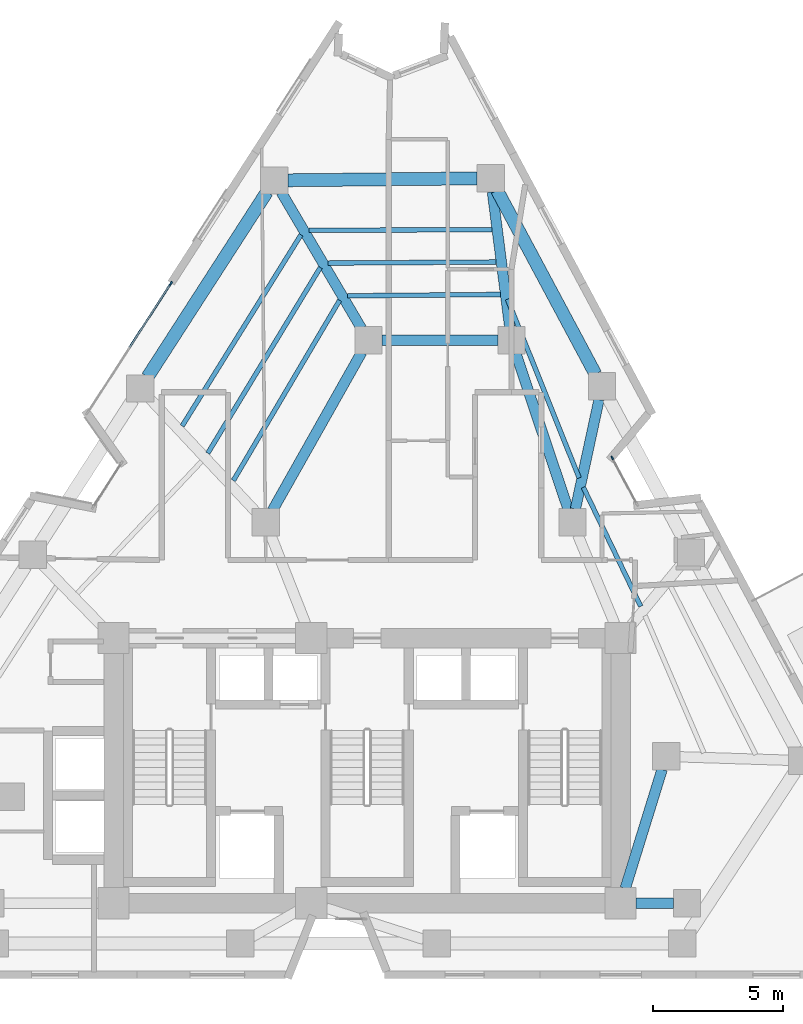
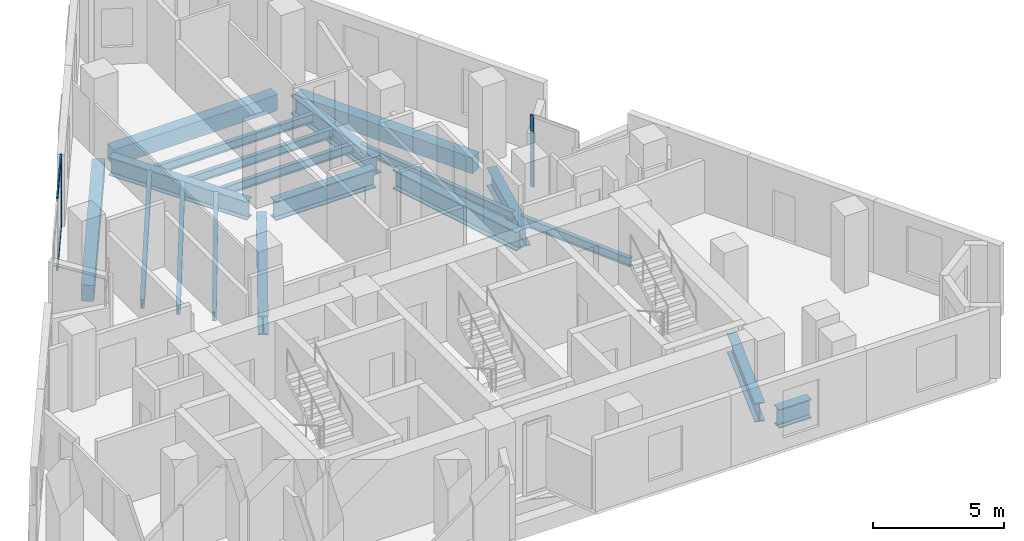
# One storey, part 3 of 12: 19 beams, 4 members, 2 elements without a shape of their own.
"""IFC4 building model written with IfcOpenShell, lengths in metres."""

from ifc_helpers import new_model, si_unit, direction, frame, origin, origin_2d, place, context, subcontext, project, spatial, rectangle, i_section, extrude, material, layer, layer_set, material_profile, profile_set, type_object, element, aggregate, save


model = new_model("IFC4")

# Units and contexts
model_context = context("Model", 3, precision=1e-05, world=origin(), true_north=direction((0.0, 1.0)))
body_context = subcontext(model_context, "Body", "Model", "MODEL_VIEW")
ifc_project = project(units=[si_unit("LENGTHUNIT", "METRE"), si_unit("AREAUNIT", "SQUARE_METRE"), si_unit("VOLUMEUNIT", "CUBIC_METRE"), si_unit("PLANEANGLEUNIT", "RADIAN"), si_unit("MASSUNIT", "GRAM", prefix="KILO")], contexts=[model_context])

# Site, building, storey
site_placement = place(None, origin())
site = spatial("IfcSite", under=ifc_project, at=site_placement, CompositionType="ELEMENT")
building_placement = place(site_placement, origin())
building = spatial("IfcBuilding", under=site, at=building_placement, Name="Almagre Mirador Tower", CompositionType="ELEMENT")
storey_placement = place(building_placement, frame((0.0, 0.0, 182.39990234375)))
storey = spatial("IfcBuildingStorey", under=building, at=storey_placement, Name="L47", CompositionType="ELEMENT", Elevation=182.39990234375)

# Beams
ifc_material_1 = material(Name="Steel ASTM A992 Grade 50", Category="steel")
ifc_material_profile_1 = material_profile(ifc_material_1, i_section(OverallWidth=0.178955078125, OverallDepth=0.408935546875, WebThickness=0.0087890625, FlangeThickness=0.014404296875, FilletRadius=0.013916015625, at=origin_2d()), Name="W16X45")
ifc_profile_set_1 = profile_set([ifc_material_profile_1], Name="Steel ASTM A992 Grade 50")
beam_type_1 = type_object("IfcBeamType", Name="BM-JST-W16X45", PredefinedType="JOIST", material=ifc_profile_set_1)
beam_1_placement = place(storey_placement, frame((47.822021484375, 15.97265625, -0.454345703125), z_axis=(-0.434740994788, 0.900555532686, 0.0), x_axis=(-0.900555532686, -0.434740994788, 0.0)))
element("IfcBeam", 1, at=beam_1_placement, inside=storey, type_object=beam_type_1, Name="L47 secondary floor joist PC06-PC07.3", PredefinedType="JOIST", context=body_context, shape_type="SweptSolid", body=[
    extrude(i_section(OverallWidth=0.178955078125, OverallDepth=0.408935546875, WebThickness=0.0087890625, FlangeThickness=0.014404296875, FilletRadius=0.013916015625, at=origin_2d()), origin(), (0.0, 0.0, 1.0), 5.075439453125),
])
beam_2_placement = place(storey_placement, frame((45.45458984375, 20.908203125, -0.454345703125), z_axis=(-0.372282855113, 0.928119321956, 0.0), x_axis=(-0.928119321956, -0.372282855113, 0.0)))
element("IfcBeam", 2, at=beam_2_placement, inside=storey, type_object=beam_type_1, Name="L47 secondary floor joist PC07-PC08.3", PredefinedType="JOIST", context=body_context, shape_type="SweptSolid", body=[
    extrude(i_section(OverallWidth=0.178955078125, OverallDepth=0.408935546875, WebThickness=0.0087890625, FlangeThickness=0.014404296875, FilletRadius=0.013916015625, at=origin_2d()), origin(), (0.0, 0.0, 1.0), 7.40576171875),
])
beam_3_placement = place(storey_placement, frame((42.10400390625, 30.45849609375, -0.454345703125), z_axis=(-0.999991632659, -0.004090796071, 0.0), x_axis=(0.004090796071, -0.999991632659, 0.0)))
element("IfcBeam", 3, at=beam_3_placement, inside=storey, type_object=beam_type_1, Name="L47 secondary floor joist PC08-PC09.1", PredefinedType="JOIST", context=body_context, shape_type="SweptSolid", body=[
    extrude(i_section(OverallWidth=0.178955078125, OverallDepth=0.408935546875, WebThickness=0.0087890625, FlangeThickness=0.014404296875, FilletRadius=0.013916015625, at=origin_2d()), origin(), (0.0, 0.0, 1.0), 7.042236328125),
])
beam_4_placement = place(storey_placement, frame((42.263916015625, 29.2119140625, -0.454345703125), z_axis=(-0.999980331831, -0.006271837952, 0.0), x_axis=(0.006271837952, -0.999980331831, 0.0)))
element("IfcBeam", 4, at=beam_4_placement, inside=storey, type_object=beam_type_1, Name="L47 secondary floor joist PC08-PC09.2", PredefinedType="JOIST", context=body_context, shape_type="SweptSolid", body=[
    extrude(i_section(OverallWidth=0.178955078125, OverallDepth=0.408935546875, WebThickness=0.0087890625, FlangeThickness=0.014404296875, FilletRadius=0.013916015625, at=origin_2d()), origin(), (0.0, 0.0, 1.0), 6.4619140625),
])
beam_5_placement = place(storey_placement, frame((42.423828125, 27.965087890625, -0.454345703125), z_axis=(-0.999960909952, -0.008841864495, 0.0), x_axis=(0.008841864495, -0.999960909952, 0.0)))
element("IfcBeam", 5, at=beam_5_placement, inside=storey, type_object=beam_type_1, Name="L47 secondary floor joist PC08-PC09.3", PredefinedType="JOIST", context=body_context, shape_type="SweptSolid", body=[
    extrude(i_section(OverallWidth=0.178955078125, OverallDepth=0.408935546875, WebThickness=0.0087890625, FlangeThickness=0.014404296875, FilletRadius=0.013916015625, at=origin_2d()), origin(), (0.0, 0.0, 1.0), 5.88134765625),
])
beam_6_placement = place(storey_placement, frame((34.7568359375, 30.259521484375, -0.454345703125), z_axis=(-0.527958865584, -0.849269943099, 0.0), x_axis=(0.849269943099, -0.527958865584, 0.0)))
element("IfcBeam", 6, at=beam_6_placement, inside=storey, type_object=beam_type_1, Name="L47 secondary floor joist PC09-PC10.1", PredefinedType="JOIST", context=body_context, shape_type="SweptSolid", body=[
    extrude(i_section(OverallWidth=0.178955078125, OverallDepth=0.408935546875, WebThickness=0.0087890625, FlangeThickness=0.014404296875, FilletRadius=0.013916015625, at=origin_2d()), origin(), (0.0, 0.0, 1.0), 8.6552734375),
])
beam_7_placement = place(storey_placement, frame((35.499267578125, 28.99951171875, -0.454345703125), z_axis=(-0.518248582566, -0.855230031435, 0.0), x_axis=(0.855230031435, -0.518248582566, 0.0)))
element("IfcBeam", 7, at=beam_7_placement, inside=storey, type_object=beam_type_1, Name="L47 secondary floor joist PC09-PC10.2", PredefinedType="JOIST", context=body_context, shape_type="SweptSolid", body=[
    extrude(i_section(OverallWidth=0.178955078125, OverallDepth=0.408935546875, WebThickness=0.0087890625, FlangeThickness=0.014404296875, FilletRadius=0.013916015625, at=origin_2d()), origin(), (0.0, 0.0, 1.0), 8.3505859375),
])
beam_8_placement = place(storey_placement, frame((36.241943359375, 27.739501953125, -0.454345703125), z_axis=(-0.507774337639, -0.861490117201, 0.0), x_axis=(0.861490117201, -0.507774337639, 0.0)))
element("IfcBeam", 8, at=beam_8_placement, inside=storey, type_object=beam_type_1, Name="L47 secondary floor joist PC09-PC10.3", PredefinedType="JOIST", context=body_context, shape_type="SweptSolid", body=[
    extrude(i_section(OverallWidth=0.178955078125, OverallDepth=0.408935546875, WebThickness=0.0087890625, FlangeThickness=0.014404296875, FilletRadius=0.013916015625, at=origin_2d()), origin(), (0.0, 0.0, 1.0), 8.047119140625),
])
ifc_material_2 = material(Name="Precast concrete C50/60", Category="concrete")
ifc_material_profile_2 = material_profile(ifc_material_2, rectangle(XDim=0.5, YDim=0.75, at=origin_2d()), Name="RC500X750")
ifc_profile_set_2 = profile_set([ifc_material_profile_2], Name="Precast concrete C50/60")
beam_type_2 = type_object("IfcBeamType", Name="BM-SPN-RC500X750", PredefinedType="SPANDREL", material=ifc_profile_set_2)
beam_9_placement = place(storey_placement, frame((46.082275390625, 24.89697265625, -0.625), z_axis=(-0.471728183201, 0.881744022477, 0.0), x_axis=(-0.881744022477, -0.471728183201, 0.0)))
element("IfcBeam", 9, at=beam_9_placement, inside=storey, type_object=beam_type_2, Name="L47 perimeter spandrel beam PC07-PC08", PredefinedType="SPANDREL", context=body_context, shape_type="SweptSolid", body=[
    extrude(rectangle(XDim=0.5, YDim=0.75, at=origin_2d()), origin(), (0.0, 0.0, 1.0), 8.02294921875),
])
beam_10_placement = place(storey_placement, frame((41.52490234375, 32.4287109375, -0.625), z_axis=(-0.999948885843, -0.010110672667, 0.0), x_axis=(0.010110672667, -0.999948885843, 0.0)))
element("IfcBeam", 10, at=beam_10_placement, inside=storey, type_object=beam_type_2, Name="L47 perimeter spandrel beam PC08-PC09", PredefinedType="SPANDREL", context=body_context, shape_type="SweptSolid", body=[
    extrude(rectangle(XDim=0.5, YDim=0.75, at=origin_2d()), origin(), (0.0, 0.0, 1.0), 7.268310546875),
])
beam_11_placement = place(storey_placement, frame((33.447509765625, 31.90869140625, -0.625), z_axis=(-0.542037572895, -0.840354252426, 0.0), x_axis=(0.840354252426, -0.542037572895, 0.0)))
element("IfcBeam", 11, at=beam_11_placement, inside=storey, type_object=beam_type_2, Name="L47 perimeter spandrel beam PC09-PC10", PredefinedType="SPANDREL", context=body_context, shape_type="SweptSolid", body=[
    extrude(rectangle(XDim=0.5, YDim=0.75, at=origin_2d()), origin(), (0.0, 0.0, 1.0), 8.469482421875),
])
ifc_material_3 = material(Name="Steel ASTM A992 Grade 50", Category="steel")
ifc_material_profile_3 = material_profile(ifc_material_3, i_section(OverallWidth=0.39892578125, OverallDepth=0.85595703125, WebThickness=0.018310546875, FlangeThickness=0.029296875, FilletRadius=0.02490234375, at=origin_2d()), Name="W33X201")
ifc_profile_set_3 = profile_set([ifc_material_profile_3], Name="Steel ASTM A992 Grade 50")
beam_type_3 = type_object("IfcBeamType", Name="BM-STL-W33X201", PredefinedType="BEAM", material=ifc_profile_set_3)
beam_12_placement = place(storey_placement, frame((46.21923828125, 23.9208984375, -0.677978515625), z_axis=(-0.21103551524, -0.977478394292, 0.0), x_axis=(0.977478394292, -0.21103551524, 0.0)))
element("IfcBeam", 12, at=beam_12_placement, inside=storey, type_object=beam_type_3, Name="L47 radial floor girder PC07-MC5", PredefinedType="BEAM", context=body_context, shape_type="SweptSolid", body=[
    extrude(i_section(OverallWidth=0.39892578125, OverallDepth=0.85595703125, WebThickness=0.018310546875, FlangeThickness=0.029296875, FilletRadius=0.02490234375, at=origin_2d()), origin(), (0.0, 0.0, 1.0), 4.3046875),
])
beam_13_placement = place(storey_placement, frame((42.11669921875, 31.913330078125, -0.677978515625), z_axis=(0.127311366157, -0.99186280102, 0.0), x_axis=(0.99186280102, 0.127311366157, 0.0)))
element("IfcBeam", 13, at=beam_13_placement, inside=storey, type_object=beam_type_3, Name="L47 radial floor girder PC08-MC6", PredefinedType="BEAM", context=body_context, shape_type="SweptSolid", body=[
    extrude(i_section(OverallWidth=0.39892578125, OverallDepth=0.85595703125, WebThickness=0.018310546875, FlangeThickness=0.029296875, FilletRadius=0.02490234375, at=origin_2d()), origin(), (0.0, 0.0, 1.0), 5.235107421875),
])
beam_14_placement = place(storey_placement, frame((33.998291015625, 31.8974609375, -0.677978515625), z_axis=(0.507048179997, -0.861917712524, 0.0), x_axis=(0.861917712524, 0.507048179997, 0.0)))
element("IfcBeam", 14, at=beam_14_placement, inside=storey, type_object=beam_type_3, Name="L47 radial floor girder PC09-MC7", PredefinedType="BEAM", context=body_context, shape_type="SweptSolid", body=[
    extrude(i_section(OverallWidth=0.39892578125, OverallDepth=0.85595703125, WebThickness=0.018310546875, FlangeThickness=0.029296875, FilletRadius=0.02490234375, at=origin_2d()), origin(), (0.0, 0.0, 1.0), 6.085205078125),
])
ifc_material_4 = material(Name="Steel ASTM A992 Grade 50", Category="steel")
ifc_material_profile_4 = material_profile(ifc_material_4, i_section(OverallWidth=0.404052734375, OverallDepth=0.884033203125, WebThickness=0.0244140625, FlangeThickness=0.0439453125, FilletRadius=0.02490234375, at=origin_2d()), Name="W33X291")
ifc_profile_set_4 = profile_set([ifc_material_profile_4], Name="Steel ASTM A992 Grade 50")
beam_type_4 = type_object("IfcBeamType", Name="BM-STL-W33X291", PredefinedType="BEAM", material=ifc_profile_set_4)
beam_15_placement = place(storey_placement, frame((37.875, 26.199951171875, -0.69189453125), z_axis=(1.0, 0.0, 0.0), x_axis=(0.0, 1.0, 0.0)))
element("IfcBeam", 15, at=beam_15_placement, inside=storey, type_object=beam_type_4, Name="L47 core tie girder MC7-MC6", PredefinedType="BEAM", context=body_context, shape_type="SweptSolid", body=[
    extrude(i_section(OverallWidth=0.404052734375, OverallDepth=0.884033203125, WebThickness=0.0244140625, FlangeThickness=0.0439453125, FilletRadius=0.02490234375, at=origin_2d()), origin(), (0.0, 0.0, 1.0), 4.449951171875),
])
beam_16_placement = place(storey_placement, frame((49.074951171875, 4.550048828125, -0.69189453125), z_axis=(-1.0, 0.0, 0.0), x_axis=(0.0, -1.0, 0.0)))
element("IfcBeam", 16, at=beam_16_placement, inside=storey, type_object=beam_type_4, Name="L47 core tie girder MC2-CC3", PredefinedType="BEAM", context=body_context, shape_type="SweptSolid", body=[
    extrude(i_section(OverallWidth=0.404052734375, OverallDepth=0.884033203125, WebThickness=0.0244140625, FlangeThickness=0.0439453125, FilletRadius=0.02490234375, at=origin_2d()), origin(), (0.0, 0.0, 1.0), 1.425048828125),
])
beam_17_placement = place(storey_placement, frame((48.644775390625, 9.698486328125, -0.69189453125), z_axis=(-0.295879743348, -0.955225197258, 0.0), x_axis=(0.955225197258, -0.295879743348, 0.0)))
element("IfcBeam", 17, at=beam_17_placement, inside=storey, type_object=beam_type_4, Name="L47 core tie girder MC3-CC3", PredefinedType="BEAM", context=body_context, shape_type="SweptSolid", body=[
    extrude(i_section(OverallWidth=0.404052734375, OverallDepth=0.884033203125, WebThickness=0.0244140625, FlangeThickness=0.0439453125, FilletRadius=0.02490234375, at=origin_2d()), origin(), (0.0, 0.0, 1.0), 4.789794921875),
])
beam_18_placement = place(storey_placement, frame((43.01708984375, 25.702392578125, -0.69189453125), z_axis=(0.318262189587, -0.948002731367, 0.0), x_axis=(0.948002731367, 0.318262189587, 0.0)))
element("IfcBeam", 18, at=beam_18_placement, inside=storey, type_object=beam_type_4, Name="L47 core tie girder MC6-MC5", PredefinedType="BEAM", context=body_context, shape_type="SweptSolid", body=[
    extrude(i_section(OverallWidth=0.404052734375, OverallDepth=0.884033203125, WebThickness=0.0244140625, FlangeThickness=0.0439453125, FilletRadius=0.02490234375, at=origin_2d()), origin(), (0.0, 0.0, 1.0), 6.333984375),
])
beam_19_placement = place(storey_placement, frame((37.092041015625, 25.742919921875, -0.69189453125), z_axis=(-0.491443510044, -0.870909453638, 0.0), x_axis=(0.870909453638, -0.491443510044, 0.0)))
element("IfcBeam", 19, at=beam_19_placement, inside=storey, type_object=beam_type_4, Name="L47 core tie girder MC7-MC8", PredefinedType="BEAM", context=body_context, shape_type="SweptSolid", body=[
    extrude(i_section(OverallWidth=0.404052734375, OverallDepth=0.884033203125, WebThickness=0.0244140625, FlangeThickness=0.0439453125, FilletRadius=0.02490234375, at=origin_2d()), origin(), (0.0, 0.0, 1.0), 6.98779296875),
])

# Curtain wall, member
ifc_material_5 = material(Name="Black anodized aluminium", Category="aluminium")
ifc_layer_1 = layer(ifc_material_5, 0.169921875)
ifc_layer_set_1 = layer_set([ifc_layer_1], Name="Black anodized aluminium")
curtain_wall_type_1 = type_object("IfcCurtainWallType", Name="CW-CRS-SYS", PredefinedType="NOTDEFINED", material=ifc_layer_set_1)
curtain_wall_1_placement = place(storey_placement, origin())
curtain_wall_1 = element("IfcCurtainWall", 20, at=curtain_wall_1_placement, inside=storey, type_object=curtain_wall_type_1, Name="L47 vertical crease curtain wall 03", PredefinedType="NOTDEFINED")
ifc_material_6 = material(Name="Black anodized aluminium", Category="aluminium")
ifc_material_profile_5 = material_profile(ifc_material_6, rectangle(XDim=0.06005859375, YDim=0.14990234375, at=origin_2d()), Name="CWM60X150")
ifc_profile_set_5 = profile_set([ifc_material_profile_5], Name="Black anodized aluminium")
member_type_1 = type_object("IfcMemberType", Name="MBR-CWM60X150", PredefinedType="MULLION", material=ifc_profile_set_5)
member_1_placement = place(storey_placement, frame((46.72509765625, 21.6806640625, 0.0), z_axis=(0.0, 0.0, 1.0), x_axis=(0.881742992316, 0.47173010875, 0.0)))
member_1 = element("IfcMember", 21, at=member_1_placement, type_object=member_type_1, Name="CW-4 mullion 1", PredefinedType="MULLION", context=body_context, shape_type="SweptSolid", body=[
    extrude(rectangle(XDim=0.06005859375, YDim=0.14990234375, at=origin_2d()), origin(), (0.0, 0.0, 1.0), 3.35009765625),
])
aggregate(curtain_wall_1, [member_1])

# Curtain wall, members
ifc_material_7 = material(Name="Black anodized aluminium", Category="aluminium")
ifc_layer_2 = layer(ifc_material_7, 0.199951171875)
ifc_layer_set_2 = layer_set([ifc_layer_2], Name="Black anodized aluminium")
curtain_wall_type_2 = type_object("IfcCurtainWallType", Name="CW-RES-H-SYS", PredefinedType="NOTDEFINED", material=ifc_layer_set_2)
curtain_wall_2_placement = place(storey_placement, origin())
curtain_wall_2 = element("IfcCurtainWall", 22, at=curtain_wall_2_placement, inside=storey, type_object=curtain_wall_type_2, Name="L47 curtain wall run 02", PredefinedType="NOTDEFINED")
ifc_material_8 = material(Name="Black anodized aluminium", Category="aluminium")
ifc_material_profile_6 = material_profile(ifc_material_8, rectangle(XDim=0.06494140625, YDim=0.179931640625, at=origin_2d()), Name="CWM65X180")
ifc_profile_set_6 = profile_set([ifc_material_profile_6], Name="Black anodized aluminium")
member_type_2 = type_object("IfcMemberType", Name="MBR-CWM65X180", PredefinedType="MULLION", material=ifc_profile_set_6)
member_2_placement = place(storey_placement, frame((29.746337890625, 28.3837890625, 0.0), z_axis=(0.0, 0.0, 1.0), x_axis=(-0.840360678718, 0.542027609688, 0.0)))
member_2 = element("IfcMember", 23, at=member_2_placement, type_object=member_type_2, Name="CW-3 mullion 3", PredefinedType="MULLION", context=body_context, shape_type="SweptSolid", body=[
    extrude(rectangle(XDim=0.06494140625, YDim=0.179931640625, at=origin_2d()), origin(), (0.0, 0.0, 1.0), 3.35009765625),
])
ifc_material_9 = material(Name="Black anodized aluminium", Category="aluminium")
ifc_material_profile_7 = material_profile(ifc_material_9, rectangle(XDim=0.06494140625, YDim=0.14990234375, at=origin_2d()), Name="CWT65X150")
ifc_profile_set_7 = profile_set([ifc_material_profile_7], Name="Black anodized aluminium")
member_type_3 = type_object("IfcMemberType", Name="MBR-CWT65X150", PredefinedType="USERDEFINED", material=ifc_profile_set_7)
member_3_placement = place(storey_placement, frame((28.16455078125, 25.931396484375, 0.03271484375), z_axis=(0.542044005867, 0.840350103055, 0.0), x_axis=(-0.840350103055, 0.542044005867, 0.0)))
member_3 = element("IfcMember", 24, at=member_3_placement, type_object=member_type_3, Name="CW-3 transom 2.1", ObjectType="TRANSOM", PredefinedType="USERDEFINED", context=body_context, shape_type="SweptSolid", body=[
    extrude(rectangle(XDim=0.06494140625, YDim=0.14990234375, at=origin_2d()), origin(), (0.0, 0.0, 1.0), 2.8857421875),
])
member_4_placement = place(storey_placement, frame((28.16455078125, 25.931396484375, 3.317626953125), z_axis=(0.542044005867, 0.840350103055, 0.0), x_axis=(-0.840350103055, 0.542044005867, 0.0)))
member_4 = element("IfcMember", 25, at=member_4_placement, type_object=member_type_3, Name="CW-3 transom 2.2", ObjectType="TRANSOM", PredefinedType="USERDEFINED", context=body_context, shape_type="SweptSolid", body=[
    extrude(rectangle(XDim=0.06494140625, YDim=0.14990234375, at=origin_2d()), origin(), (0.0, 0.0, 1.0), 2.8857421875),
])
aggregate(curtain_wall_2, [member_2, member_3, member_4])

save(model, "model.ifc")
